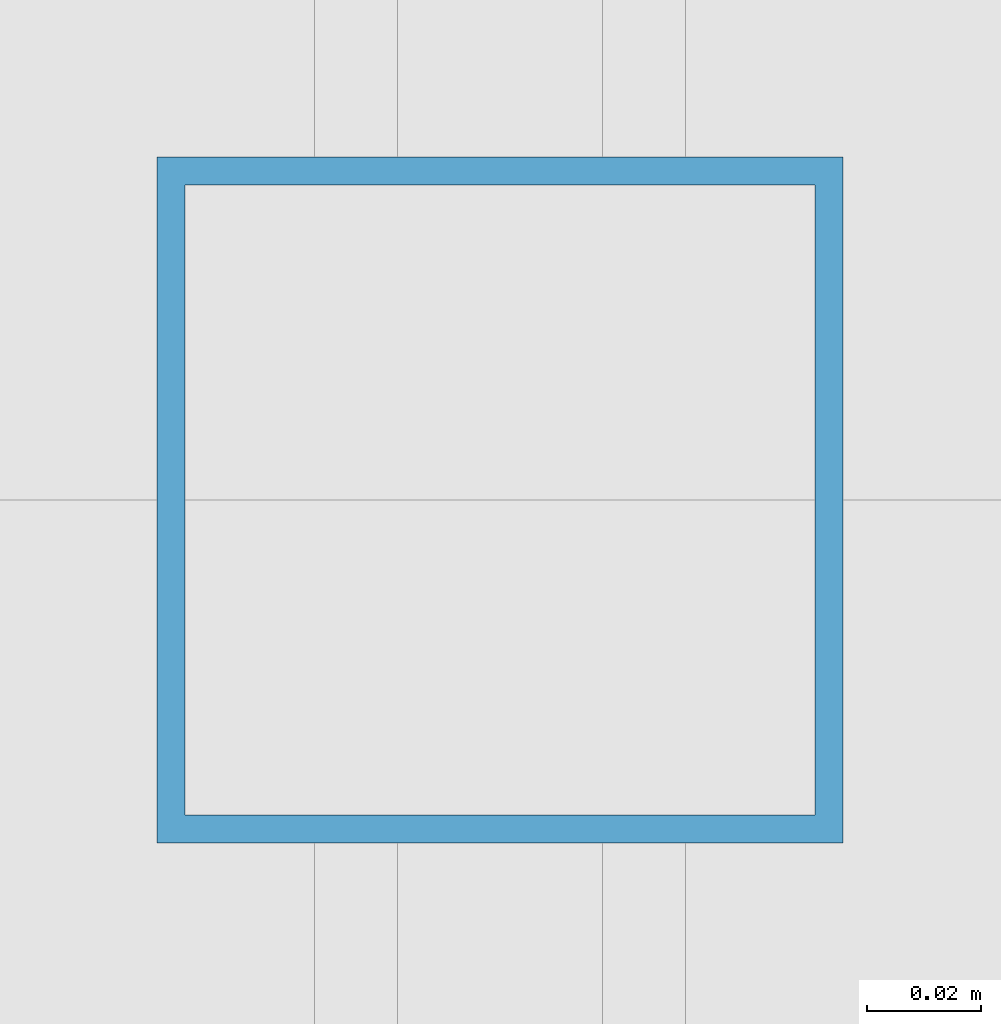
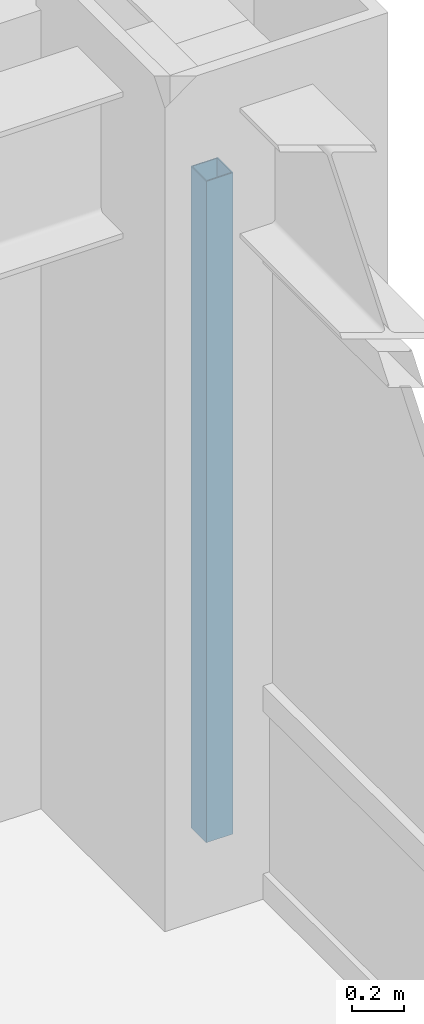
# One storey, part 10 of 24: 1 member, 1 element without a shape of its own.
"""IFC4 building model written with IfcOpenShell, lengths in metres."""

from ifc_helpers import new_model, si_unit, direction, frame, origin, origin_2d, place, context, subcontext, project, spatial, hollow_rectangle, extrude, source, transform, mapped, material, material_profile, profile_set, type_object, element, aggregate, save


model = new_model("IFC4")

# Units and contexts
model_context = context("Model", 3, precision=1e-05, world=origin(), true_north=direction((0.0, 1.0)))
body_context = subcontext(model_context, "Body", "Model", "MODEL_VIEW")
ifc_project = project(units=[si_unit("LENGTHUNIT", "METRE"), si_unit("AREAUNIT", "SQUARE_METRE"), si_unit("VOLUMEUNIT", "CUBIC_METRE"), si_unit("PLANEANGLEUNIT", "RADIAN"), si_unit("MASSUNIT", "GRAM", prefix="KILO")], contexts=[model_context])

# Site, building, storey
site_placement = place(None, origin())
site = spatial("IfcSite", under=ifc_project, at=site_placement, CompositionType="ELEMENT")
building_placement = place(site_placement, origin())
building = spatial("IfcBuilding", under=site, at=building_placement, Name="Khorayat Bourse Tower", CompositionType="ELEMENT")
storey_placement = place(building_placement, frame((0.0, 0.0, 215.10009765625)))
storey = spatial("IfcBuildingStorey", under=building, at=storey_placement, Name="L50", CompositionType="ELEMENT", Elevation=215.10009765625)

# Curtain wall, member
ifc_material = material(Name="Aluminium EN AW-6063 T6", Category="aluminium")
curtain_wall_type = type_object("IfcCurtainWallType", Name="CW-SYS-03", PredefinedType="NOTDEFINED", material=ifc_material)
curtain_wall_placement = place(storey_placement, origin())
curtain_wall = element("IfcCurtainWall", 1, at=curtain_wall_placement, inside=storey, type_object=curtain_wall_type, Name="L50 Curtain Wall CW-L50-E1", PredefinedType="NOTDEFINED")
ifc_material_profile = material_profile(ifc_material, hollow_rectangle(XDim=0.1201171875, YDim=0.1201171875, WallThickness=0.0048828125, at=origin_2d()), Name="ALU 120x120x5")
ifc_profile_set = profile_set([ifc_material_profile], Name="Aluminium EN AW-6063 T6")
member_type = type_object("IfcMemberType", Name="CWM-VERT-120", PredefinedType="MULLION", material=ifc_profile_set)
shared_shape = source(origin(), body_context, "Body", "SweptSolid", [
    extrude(hollow_rectangle(XDim=0.1201171875, YDim=0.1201171875, WallThickness=0.0048828125, at=origin_2d()), origin(), (0.0, 0.0, 1.0), 3.1298828125),
])
member_placement = place(storey_placement, frame((30.0, 0.0, 0.0), z_axis=(0.0, 0.0, 1.0), x_axis=(-1.0, 0.0, 0.0)))
member = element("IfcMember", 2, at=member_placement, type_object=member_type, Name="CW-L50-E1 Vertical Mullion 2", PredefinedType="MULLION", context=body_context, shape_type="MappedRepresentation", body=[
    mapped(shared_shape, transform((0.0, 0.0, 0.0), scale=1.0)),
])
aggregate(curtain_wall, [member])

save(model, "model.ifc")
